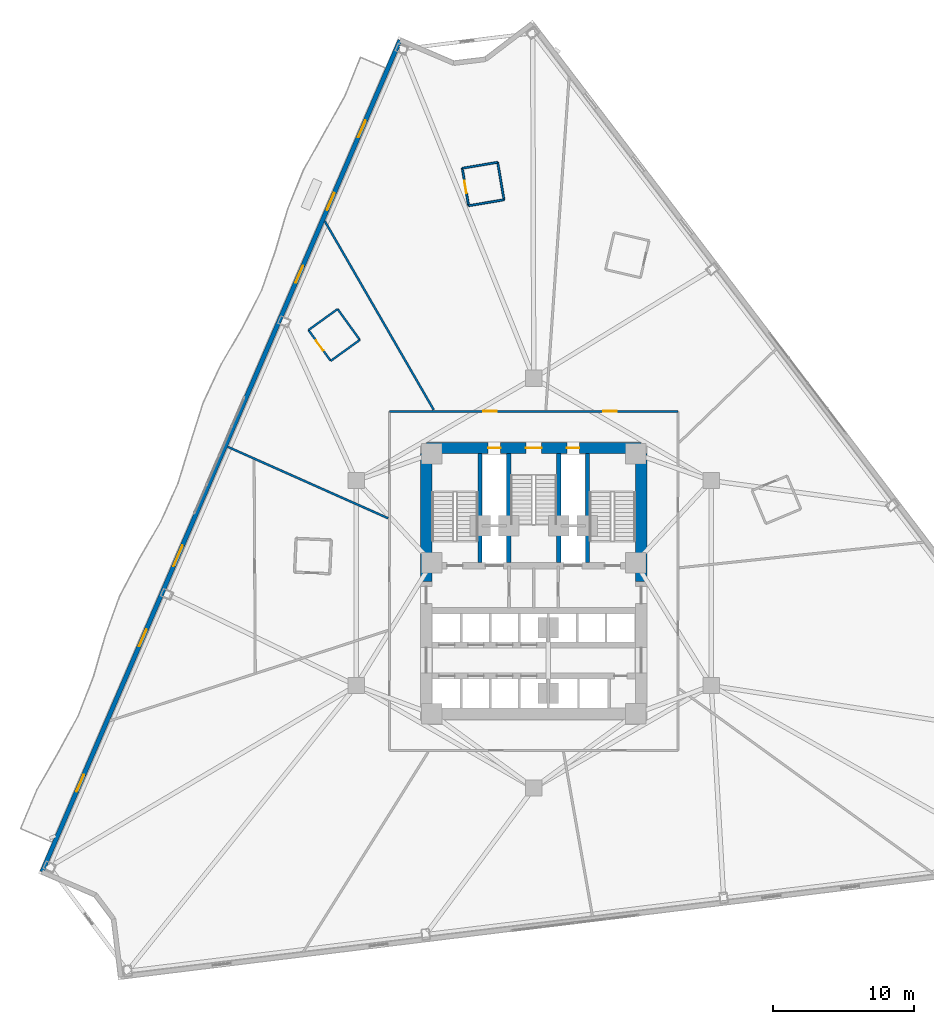
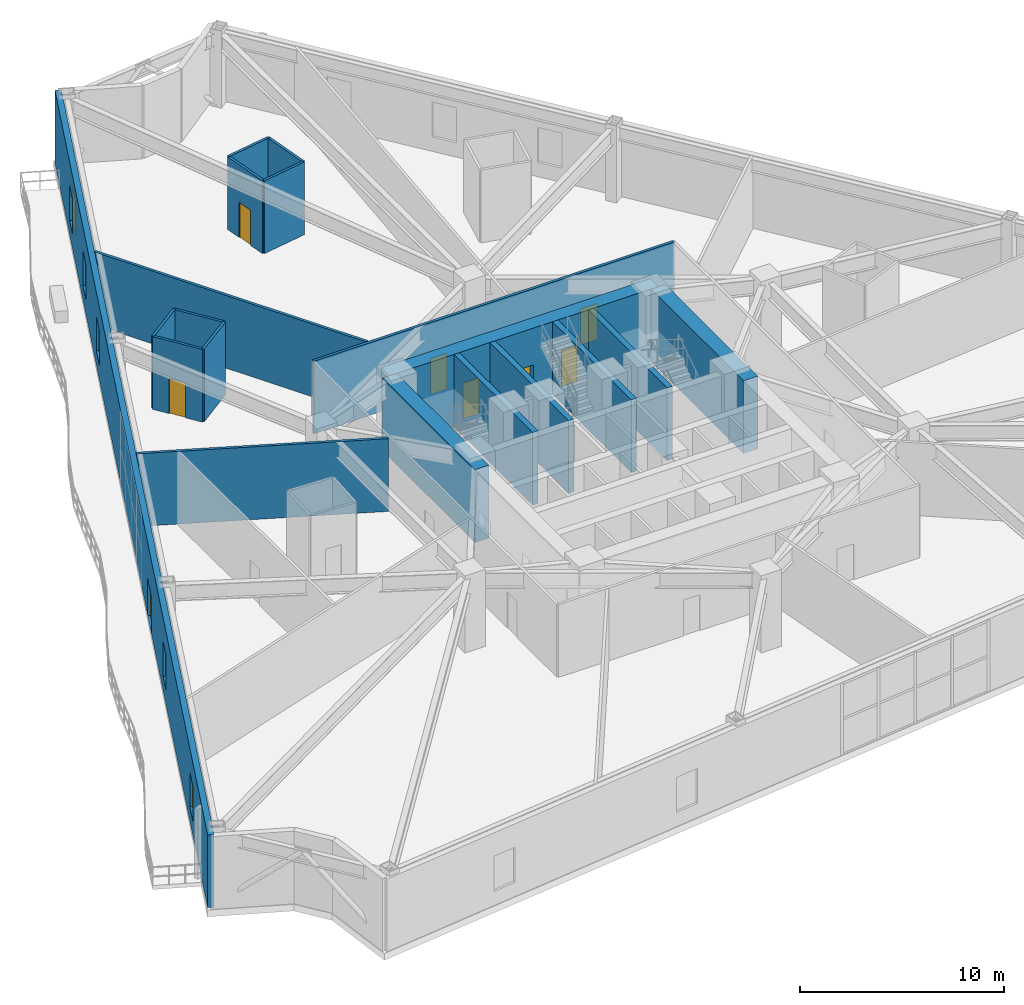
# One storey, part 14 of 21: 19 walls, 8 doors, 5 windows, 13 openings.
"""IFC4 building model written with IfcOpenShell, lengths in metres."""

from ifc_helpers import new_model, si_unit, direction, frame, frame_2d, origin, place, context, subcontext, project, spatial, rectangle, extrude, material, layer, layer_set, type_object, element, fill, save


model = new_model("IFC4")

# Units and contexts
model_context = context("Model", 3, precision=1e-05, world=origin(), true_north=direction((0.0, 1.0)))
body_context = subcontext(model_context, "Body", "Model", "MODEL_VIEW")
ifc_project = project(units=[si_unit("LENGTHUNIT", "METRE"), si_unit("AREAUNIT", "SQUARE_METRE"), si_unit("VOLUMEUNIT", "CUBIC_METRE"), si_unit("PLANEANGLEUNIT", "RADIAN"), si_unit("MASSUNIT", "GRAM", prefix="KILO")], contexts=[model_context])

# Site, building, storey
site_placement = place(None, origin())
site = spatial("IfcSite", under=ifc_project, at=site_placement, CompositionType="ELEMENT")
building_placement = place(site_placement, origin())
building = spatial("IfcBuilding", under=site, at=building_placement, Name="Apsidion Concourse Tower", CompositionType="ELEMENT")
storey_placement = place(building_placement, frame((0.0, 0.0, 62.39990234375)))
storey = spatial("IfcBuildingStorey", under=building, at=storey_placement, Name="L13", CompositionType="ELEMENT", Elevation=62.39990234375)

# Wall, openings, door, windows
ifc_material_1 = material(Name="Precast concrete C40/50", Category="concrete")
ifc_layer_1 = layer(ifc_material_1, 0.320068359375)
ifc_layer_set_1 = layer_set([ifc_layer_1], Name="Precast concrete C40/50")
wall_type_1 = type_object("IfcWallType", Name="WL-EXT-320", PredefinedType="STANDARD", material=ifc_layer_set_1)
wall_1_placement = place(storey_placement, frame((-34.787353515625, -20.429443359375, 0.0), z_axis=(0.0, 0.0, 1.0), x_axis=(0.395418293843, 0.91850115563, 0.0)))
wall_1 = element("IfcWall", 1, at=wall_1_placement, inside=storey, type_object=wall_type_1, Name="L13 Precast Stone Facade Wall 09", PredefinedType="STANDARD", context=body_context, shape_type="SweptSolid", body=[
    extrude(rectangle(XDim=64.058349609375, YDim=0.320068359375, at=frame_2d((32.029296875, 0.0))), origin(), (0.0, 0.0, 1.0), 4.35009765625),
])
opening_1_placement = place(wall_1_placement, frame((23.542236328125, 0.0, 0.0)))
opening_1 = element("IfcOpeningElement", 2, at=opening_1_placement, cuts=wall_1, Name="Opening D-T2D", PredefinedType="OPENING", context=body_context, shape_type="SweptSolid", body=[
    extrude(rectangle(XDim=1.60009765625, YDim=2.199951171875, at=frame_2d((0.800048828125, 1.10009765625))), frame((0.0, 0.169921875, 0.0), z_axis=(0.0, -1.0, 0.0), x_axis=(1.0, 0.0, 0.0)), (0.0, 0.0, 1.0), 0.340087890625),
])
opening_2_placement = place(wall_1_placement, frame((6.17919921875, 0.0, 0.85009765625)))
opening_2 = element("IfcOpeningElement", 3, at=opening_2_placement, cuts=wall_1, Name="Opening WN-03", PredefinedType="OPENING", context=body_context, shape_type="SweptSolid", body=[
    extrude(rectangle(XDim=1.300048828125, YDim=2.10009765625, at=frame_2d((0.64990234375, 1.050048828125))), frame((0.0, 0.169921875, 0.0), z_axis=(0.0, -1.0, 0.0), x_axis=(1.0, 0.0, 0.0)), (0.0, 0.0, 1.0), 0.340087890625),
])
opening_3_placement = place(wall_1_placement, frame((17.379150390625, 0.0, 0.85009765625)))
opening_3 = element("IfcOpeningElement", 4, at=opening_3_placement, cuts=wall_1, Name="Opening WN-03", PredefinedType="OPENING", context=body_context, shape_type="SweptSolid", body=[
    extrude(rectangle(XDim=1.300048828125, YDim=2.10009765625, at=frame_2d((0.64990234375, 1.050048828125))), frame((0.0, 0.169921875, 0.0), z_axis=(0.0, -1.0, 0.0), x_axis=(1.0, 0.0, 0.0)), (0.0, 0.0, 1.0), 0.340087890625),
])
opening_4_placement = place(wall_1_placement, frame((45.379150390625, 0.0, 0.85009765625)))
opening_4 = element("IfcOpeningElement", 5, at=opening_4_placement, cuts=wall_1, Name="Opening WN-03", PredefinedType="OPENING", context=body_context, shape_type="SweptSolid", body=[
    extrude(rectangle(XDim=1.300048828125, YDim=2.10009765625, at=frame_2d((0.64990234375, 1.050048828125))), frame((0.0, 0.169921875, 0.0), z_axis=(0.0, -1.0, 0.0), x_axis=(1.0, 0.0, 0.0)), (0.0, 0.0, 1.0), 0.340087890625),
])
opening_5_placement = place(wall_1_placement, frame((50.979248046875, 0.0, 0.85009765625)))
opening_5 = element("IfcOpeningElement", 6, at=opening_5_placement, cuts=wall_1, Name="Opening WN-03", PredefinedType="OPENING", context=body_context, shape_type="SweptSolid", body=[
    extrude(rectangle(XDim=1.300048828125, YDim=2.10009765625, at=frame_2d((0.64990234375, 1.050048828125))), frame((0.0, 0.169921875, 0.0), z_axis=(0.0, -1.0, 0.0), x_axis=(1.0, 0.0, 0.0)), (0.0, 0.0, 1.0), 0.340087890625),
])
opening_6_placement = place(wall_1_placement, frame((56.5791015625, 0.0, 0.85009765625)))
opening_6 = element("IfcOpeningElement", 7, at=opening_6_placement, cuts=wall_1, Name="Opening WN-03", PredefinedType="OPENING", context=body_context, shape_type="SweptSolid", body=[
    extrude(rectangle(XDim=1.300048828125, YDim=2.10009765625, at=frame_2d((0.64990234375, 1.050048828125))), frame((0.0, 0.169921875, 0.0), z_axis=(0.0, -1.0, 0.0), x_axis=(1.0, 0.0, 0.0)), (0.0, 0.0, 1.0), 0.340087890625),
])
ifc_material_2 = material(Name="Anodised aluminium EN AW-6063 T6", Category="aluminium")
door_type_1 = type_object("IfcDoorType", Name="DR-TER-1622D", OperationType="DOUBLE_DOOR_SINGLE_SWING", PredefinedType="DOOR", material=ifc_material_2)
door_1_placement = place(opening_1_placement, origin())
door_1 = element("IfcDoor", 8, at=door_1_placement, inside=storey, type_object=door_type_1, Name="L13 Spiral Sky-Terrace Access Door 1", OperationType="DOUBLE_DOOR_SINGLE_SWING", OverallHeight=2.199951171875, OverallWidth=1.60009765625, PredefinedType="DOOR", context=body_context, shape_type="SweptSolid", body=[
    extrude(rectangle(XDim=1.60009765625, YDim=2.199951171875, at=frame_2d((0.800048828125, 1.10009765625))), frame((0.0, 0.02490234375, 0.0), z_axis=(0.0, -1.0, 0.0), x_axis=(1.0, 0.0, 0.0)), (0.0, 0.0, 1.0), 0.050048828125),
])
fill(opening_1, door_1)
ifc_material_3 = material(Name="Insulated laminated low-E glass", Category="glass")
window_type = type_object("IfcWindowType", Name="WN-HTL-1322", PartitioningType="SINGLE_PANEL", PredefinedType="WINDOW", material=ifc_material_3)
window_1_placement = place(opening_2_placement, origin())
window_1 = element("IfcWindow", 9, at=window_1_placement, inside=storey, type_object=window_type, Name="L13 Punched Facade Window 9-01", OverallHeight=2.10009765625, OverallWidth=1.300048828125, PartitioningType="SINGLE_PANEL", PredefinedType="WINDOW", context=body_context, shape_type="SweptSolid", body=[
    extrude(rectangle(XDim=1.300048828125, YDim=2.10009765625, at=frame_2d((0.64990234375, 1.050048828125))), frame((0.0, 0.030029296875, 0.0), z_axis=(0.0, -1.0, 0.0), x_axis=(1.0, 0.0, 0.0)), (0.0, 0.0, 1.0), 0.06005859375),
])
fill(opening_2, window_1)
window_2_placement = place(opening_3_placement, origin())
window_2 = element("IfcWindow", 10, at=window_2_placement, inside=storey, type_object=window_type, Name="L13 Punched Facade Window 9-03", OverallHeight=2.10009765625, OverallWidth=1.300048828125, PartitioningType="SINGLE_PANEL", PredefinedType="WINDOW", context=body_context, shape_type="SweptSolid", body=[
    extrude(rectangle(XDim=1.300048828125, YDim=2.10009765625, at=frame_2d((0.64990234375, 1.050048828125))), frame((0.0, 0.030029296875, 0.0), z_axis=(0.0, -1.0, 0.0), x_axis=(1.0, 0.0, 0.0)), (0.0, 0.0, 1.0), 0.06005859375),
])
fill(opening_3, window_2)
window_3_placement = place(opening_4_placement, origin())
window_3 = element("IfcWindow", 11, at=window_3_placement, inside=storey, type_object=window_type, Name="L13 Punched Facade Window 9-08", OverallHeight=2.10009765625, OverallWidth=1.300048828125, PartitioningType="SINGLE_PANEL", PredefinedType="WINDOW", context=body_context, shape_type="SweptSolid", body=[
    extrude(rectangle(XDim=1.300048828125, YDim=2.10009765625, at=frame_2d((0.64990234375, 1.050048828125))), frame((0.0, 0.030029296875, 0.0), z_axis=(0.0, -1.0, 0.0), x_axis=(1.0, 0.0, 0.0)), (0.0, 0.0, 1.0), 0.06005859375),
])
fill(opening_4, window_3)
window_4_placement = place(opening_5_placement, origin())
window_4 = element("IfcWindow", 12, at=window_4_placement, inside=storey, type_object=window_type, Name="L13 Punched Facade Window 9-09", OverallHeight=2.10009765625, OverallWidth=1.300048828125, PartitioningType="SINGLE_PANEL", PredefinedType="WINDOW", context=body_context, shape_type="SweptSolid", body=[
    extrude(rectangle(XDim=1.300048828125, YDim=2.10009765625, at=frame_2d((0.64990234375, 1.050048828125))), frame((0.0, 0.030029296875, 0.0), z_axis=(0.0, -1.0, 0.0), x_axis=(1.0, 0.0, 0.0)), (0.0, 0.0, 1.0), 0.06005859375),
])
fill(opening_5, window_4)
window_5_placement = place(opening_6_placement, origin())
window_5 = element("IfcWindow", 13, at=window_5_placement, inside=storey, type_object=window_type, Name="L13 Punched Facade Window 9-10", OverallHeight=2.10009765625, OverallWidth=1.300048828125, PartitioningType="SINGLE_PANEL", PredefinedType="WINDOW", context=body_context, shape_type="SweptSolid", body=[
    extrude(rectangle(XDim=1.300048828125, YDim=2.10009765625, at=frame_2d((0.64990234375, 1.050048828125))), frame((0.0, 0.030029296875, 0.0), z_axis=(0.0, -1.0, 0.0), x_axis=(1.0, 0.0, 0.0)), (0.0, 0.0, 1.0), 0.06005859375),
])
fill(opening_6, window_5)

# Walls
ifc_material_4 = material(Name="Gypsum plasterboard partition")
ifc_layer_2 = layer(ifc_material_4, 0.139892578125)
ifc_layer_set_2 = layer_set([ifc_layer_2], Name="Gypsum plasterboard partition")
wall_type_2 = type_object("IfcWallType", Name="WL-INT-PAR-140", PredefinedType="PARTITIONING", material=ifc_layer_set_2)
wall_2_placement = place(storey_placement, frame((-2.103515625, 27.117919921875, 0.0), z_axis=(0.0, 0.0, 1.0), x_axis=(-0.166812152126, 0.985988694612, 0.0)))
element("IfcWall", 14, at=wall_2_placement, inside=storey, type_object=wall_type_2, Name="L13 Interior Partition WL-L13-POD-ENS07-S1", PredefinedType="PARTITIONING", context=body_context, shape_type="SweptSolid", body=[
    extrude(rectangle(XDim=2.68994140625, YDim=0.139892578125, at=frame_2d((1.344970703125, 0.0))), origin(), (0.0, 0.0, 1.0), 4.35009765625),
])
wall_3_placement = place(storey_placement, frame((-2.55224609375, 29.770263671875, 0.0), z_axis=(0.0, 0.0, 1.0), x_axis=(-0.98599620826, -0.166767734581, 0.0)))
element("IfcWall", 15, at=wall_3_placement, inside=storey, type_object=wall_type_2, Name="L13 Interior Partition WL-L13-POD-ENS07-S2", PredefinedType="PARTITIONING", context=body_context, shape_type="SweptSolid", body=[
    extrude(rectangle(XDim=2.5400390625, YDim=0.139892578125, at=frame_2d((1.27001953125, 0.0))), origin(), (0.0, 0.0, 1.0), 4.35009765625),
])

# Wall, opening, door
wall_4_placement = place(storey_placement, frame((-5.056640625, 29.3466796875, 0.0), z_axis=(0.0, 0.0, 1.0), x_axis=(0.166708999579, -0.98600614068, 0.0)))
wall_4 = element("IfcWall", 16, at=wall_4_placement, inside=storey, type_object=wall_type_2, Name="L13 Interior Partition WL-L13-POD-ENS07-S3", PredefinedType="PARTITIONING", context=body_context, shape_type="SweptSolid", body=[
    extrude(rectangle(XDim=2.690185546875, YDim=0.139892578125, at=frame_2d((1.34521484375, 0.0))), origin(), (0.0, 0.0, 1.0), 4.35009765625),
])
opening_7_placement = place(wall_4_placement, frame((0.905029296875, 0.0, 0.0)))
opening_7 = element("IfcOpeningElement", 17, at=opening_7_placement, cuts=wall_4, Name="Opening D-03R", PredefinedType="OPENING", context=body_context, shape_type="SweptSolid", body=[
    extrude(rectangle(XDim=0.8798828125, YDim=2.10009765625, at=frame_2d((0.43994140625, 1.050048828125))), frame((0.0, 0.080078125, 0.0), z_axis=(0.0, -1.0, 0.0), x_axis=(1.0, 0.0, 0.0)), (0.0, 0.0, 1.0), 0.159912109375),
])
door_type_2 = type_object("IfcDoorType", Name="DR-INT-D03R", OperationType="SINGLE_SWING_RIGHT", PredefinedType="DOOR", material=ifc_material_2)
door_2_placement = place(opening_7_placement, origin())
door_2 = element("IfcDoor", 18, at=door_2_placement, inside=storey, type_object=door_type_2, Name="L13 Guest En-Suite Bathroom Door ENS07", OperationType="SINGLE_SWING_RIGHT", OverallHeight=2.10009765625, OverallWidth=0.8798828125, PredefinedType="DOOR", context=body_context, shape_type="SweptSolid", body=[
    extrude(rectangle(XDim=0.8798828125, YDim=2.10009765625, at=frame_2d((0.43994140625, 1.050048828125))), frame((0.0, 0.02490234375, 0.0), z_axis=(0.0, -1.0, 0.0), x_axis=(1.0, 0.0, 0.0)), (0.0, 0.0, 1.0), 0.050048828125),
])
fill(opening_7, door_2)

# Walls
wall_5_placement = place(storey_placement, frame((-4.608154296875, 26.694091796875, 0.0), z_axis=(0.0, 0.0, 1.0), x_axis=(0.985983074697, 0.166845366768, 0.0)))
element("IfcWall", 19, at=wall_5_placement, inside=storey, type_object=wall_type_2, Name="L13 Interior Partition WL-L13-POD-ENS07-S4", PredefinedType="PARTITIONING", context=body_context, shape_type="SweptSolid", body=[
    extrude(rectangle(XDim=2.540283203125, YDim=0.139892578125, at=frame_2d((1.27001953125, 0.0))), origin(), (0.0, 0.0, 1.0), 4.35009765625),
])
wall_6_placement = place(storey_placement, frame((-12.302001953125, 17.205078125, 0.0), z_axis=(0.0, 0.0, 1.0), x_axis=(-0.584966842141, 0.811057207351, 0.0)))
element("IfcWall", 20, at=wall_6_placement, inside=storey, type_object=wall_type_2, Name="L13 Interior Partition WL-L13-POD-ENS08-S1", PredefinedType="PARTITIONING", context=body_context, shape_type="SweptSolid", body=[
    extrude(rectangle(XDim=2.68994140625, YDim=0.139892578125, at=frame_2d((1.344970703125, 0.0))), origin(), (0.0, 0.0, 1.0), 4.35009765625),
])
wall_7_placement = place(storey_placement, frame((-13.87548828125, 19.38671875, 0.0), z_axis=(0.0, 0.0, 1.0), x_axis=(-0.811049113512, -0.584978064095, 0.0)))
element("IfcWall", 21, at=wall_7_placement, inside=storey, type_object=wall_type_2, Name="L13 Interior Partition WL-L13-POD-ENS08-S2", PredefinedType="PARTITIONING", context=body_context, shape_type="SweptSolid", body=[
    extrude(rectangle(XDim=2.5400390625, YDim=0.139892578125, at=frame_2d((1.27001953125, 0.0))), origin(), (0.0, 0.0, 1.0), 4.35009765625),
])

# Wall, opening, door
wall_8_placement = place(storey_placement, frame((-15.935546875, 17.90087890625, 0.0), z_axis=(0.0, 0.0, 1.0), x_axis=(0.584966842141, -0.811057207351, 0.0)))
wall_8 = element("IfcWall", 22, at=wall_8_placement, inside=storey, type_object=wall_type_2, Name="L13 Interior Partition WL-L13-POD-ENS08-S3", PredefinedType="PARTITIONING", context=body_context, shape_type="SweptSolid", body=[
    extrude(rectangle(XDim=2.68994140625, YDim=0.139892578125, at=frame_2d((1.344970703125, 0.0))), origin(), (0.0, 0.0, 1.0), 4.35009765625),
])
opening_8_placement = place(wall_8_placement, frame((0.905029296875, 0.0, 0.0)))
opening_8 = element("IfcOpeningElement", 23, at=opening_8_placement, cuts=wall_8, Name="Opening D-03L", PredefinedType="OPENING", context=body_context, shape_type="SweptSolid", body=[
    extrude(rectangle(XDim=0.8798828125, YDim=2.10009765625, at=frame_2d((0.43994140625, 1.050048828125))), frame((0.0, 0.080078125, 0.0), z_axis=(0.0, -1.0, 0.0), x_axis=(1.0, 0.0, 0.0)), (0.0, 0.0, 1.0), 0.159912109375),
])
door_type_3 = type_object("IfcDoorType", Name="DR-INT-D03L", OperationType="SINGLE_SWING_LEFT", PredefinedType="DOOR", material=ifc_material_2)
door_3_placement = place(opening_8_placement, origin())
door_3 = element("IfcDoor", 24, at=door_3_placement, inside=storey, type_object=door_type_3, Name="L13 Guest En-Suite Bathroom Door ENS08", OperationType="SINGLE_SWING_LEFT", OverallHeight=2.10009765625, OverallWidth=0.8798828125, PredefinedType="DOOR", context=body_context, shape_type="SweptSolid", body=[
    extrude(rectangle(XDim=0.8798828125, YDim=2.10009765625, at=frame_2d((0.43994140625, 1.050048828125))), frame((0.0, 0.02490234375, 0.0), z_axis=(0.0, -1.0, 0.0), x_axis=(1.0, 0.0, 0.0)), (0.0, 0.0, 1.0), 0.050048828125),
])
fill(opening_8, door_3)

# Wall
wall_9_placement = place(storey_placement, frame((-14.362060546875, 15.71923828125, 0.0), z_axis=(0.0, 0.0, 1.0), x_axis=(0.811049113512, 0.584978064095, 0.0)))
element("IfcWall", 25, at=wall_9_placement, inside=storey, type_object=wall_type_2, Name="L13 Interior Partition WL-L13-POD-ENS08-S4", PredefinedType="PARTITIONING", context=body_context, shape_type="SweptSolid", body=[
    extrude(rectangle(XDim=2.5400390625, YDim=0.139892578125, at=frame_2d((1.27001953125, 0.0))), origin(), (0.0, 0.0, 1.0), 4.35009765625),
])

# Wall, openings, doors
ifc_layer_3 = layer(ifc_material_4, 0.14990234375)
ifc_layer_set_3 = layer_set([ifc_layer_3], Name="Gypsum plasterboard partition")
wall_type_3 = type_object("IfcWallType", Name="WL-INT-PAR-150", PredefinedType="PARTITIONING", material=ifc_layer_set_3)
wall_10_placement = place(storey_placement, frame((-10.199951171875, 12.14990234375, 0.0), z_axis=(0.0, 0.0, 1.0), x_axis=(1.0, 0.0, 0.0)))
wall_10 = element("IfcWall", 26, at=wall_10_placement, inside=storey, type_object=wall_type_3, Name="L13 Interior Partition WL-L13-CORR-01", PredefinedType="PARTITIONING", context=body_context, shape_type="SweptSolid", body=[
    extrude(rectangle(XDim=20.39990234375, YDim=0.14990234375, at=frame_2d((10.199951171875, 0.0))), origin(), (0.0, 0.0, 1.0), 4.35009765625),
])
opening_9_placement = place(wall_10_placement, frame((15.125, 0.0, 0.0)))
opening_9 = element("IfcOpeningElement", 27, at=opening_9_placement, cuts=wall_10, Name="Opening D-01L", PredefinedType="OPENING", context=body_context, shape_type="SweptSolid", body=[
    extrude(rectangle(XDim=0.949951171875, YDim=2.14990234375, at=frame_2d((0.47509765625, 1.074951171875))), frame((0.0, 0.0849609375, 0.0), z_axis=(0.0, -1.0, 0.0), x_axis=(1.0, 0.0, 0.0)), (0.0, 0.0, 1.0), 0.169921875),
])
opening_10_placement = place(wall_10_placement, frame((6.6201171875, 0.0, 0.0)))
opening_10 = element("IfcOpeningElement", 28, at=opening_10_placement, cuts=wall_10, Name="Opening D-01R", PredefinedType="OPENING", context=body_context, shape_type="SweptSolid", body=[
    extrude(rectangle(XDim=0.949951171875, YDim=2.14990234375, at=frame_2d((0.47509765625, 1.074951171875))), frame((0.0, 0.0849609375, 0.0), z_axis=(0.0, -1.0, 0.0), x_axis=(1.0, 0.0, 0.0)), (0.0, 0.0, 1.0), 0.169921875),
])
ifc_material_5 = material(Name="Brushed stainless steel 316", Category="steel")
door_type_4 = type_object("IfcDoorType", Name="DR-INT-D01L", OperationType="SINGLE_SWING_LEFT", PredefinedType="DOOR", material=ifc_material_5)
door_4_placement = place(opening_9_placement, origin())
door_4 = element("IfcDoor", 29, at=door_4_placement, inside=storey, type_object=door_type_4, Name="L13 Corridor Entry Door 07", OperationType="SINGLE_SWING_LEFT", OverallHeight=2.14990234375, OverallWidth=0.949951171875, PredefinedType="DOOR", context=body_context, shape_type="SweptSolid", body=[
    extrude(rectangle(XDim=0.949951171875, YDim=2.14990234375, at=frame_2d((0.47509765625, 1.074951171875))), frame((0.0, 0.02490234375, 0.0), z_axis=(0.0, -1.0, 0.0), x_axis=(1.0, 0.0, 0.0)), (0.0, 0.0, 1.0), 0.050048828125),
])
fill(opening_9, door_4)
door_type_5 = type_object("IfcDoorType", Name="DR-INT-D01R", OperationType="SINGLE_SWING_RIGHT", PredefinedType="DOOR", material=ifc_material_5)
door_5_placement = place(opening_10_placement, origin())
door_5 = element("IfcDoor", 30, at=door_5_placement, inside=storey, type_object=door_type_5, Name="L13 Corridor Entry Door 08", OperationType="SINGLE_SWING_RIGHT", OverallHeight=2.14990234375, OverallWidth=0.949951171875, PredefinedType="DOOR", context=body_context, shape_type="SweptSolid", body=[
    extrude(rectangle(XDim=0.949951171875, YDim=2.14990234375, at=frame_2d((0.47509765625, 1.074951171875))), frame((0.0, 0.02490234375, 0.0), z_axis=(0.0, -1.0, 0.0), x_axis=(1.0, 0.0, 0.0)), (0.0, 0.0, 1.0), 0.050048828125),
])
fill(opening_10, door_5)

# Walls
wall_11_placement = place(storey_placement, frame((-7.075439453125, 12.2548828125, 0.0), z_axis=(0.0, 0.0, 1.0), x_axis=(-0.499989871069, 0.866031251647, 0.0)))
element("IfcWall", 31, at=wall_11_placement, inside=storey, type_object=wall_type_3, Name="L13 Interior Partition WL-L13-RAD-04-1", PredefinedType="PARTITIONING", context=body_context, shape_type="SweptSolid", body=[
    extrude(rectangle(XDim=15.410400390625, YDim=0.14990234375, at=frame_2d((7.705078125, 0.0))), origin(), (0.0, 0.0, 1.0), 4.35009765625),
])
wall_12_placement = place(storey_placement, frame((-10.304931640625, 4.588134765625, 0.0), z_axis=(0.0, 0.0, 1.0), x_axis=(-0.913551984099, 0.406721984099, 0.0)))
element("IfcWall", 32, at=wall_12_placement, inside=storey, type_object=wall_type_3, Name="L13 Interior Partition WL-L13-RAD-05-1", PredefinedType="PARTITIONING", context=body_context, shape_type="SweptSolid", body=[
    extrude(rectangle(XDim=12.420654296875, YDim=0.14990234375, at=frame_2d((6.21044921875, 0.0))), origin(), (0.0, 0.0, 1.0), 4.35009765625),
])
ifc_material_6 = material(Name="Concrete C50/60", Category="concrete")
ifc_layer_4 = layer(ifc_material_6, 0.300048828125)
ifc_layer_set_4 = layer_set([ifc_layer_4], Name="Concrete C50/60")
wall_type_4 = type_object("IfcWallType", Name="WL-SH-300", PredefinedType="SHEAR", material=ifc_layer_set_4)
for number, where, z_axis, x_axis, name in (
    (33, (-3.800048828125, 1.449951171875, 0.0), (0.0, 0.0, 1.0), (0.0, 1.0, 0.0), "L13 Central Core Shear Wall V1"),
    (34, (-1.77490234375, 1.449951171875, 0.0), (0.0, 0.0, 1.0), (0.0, 1.0, 0.0), "L13 Central Core Shear Wall V2"),
    (35, (1.77490234375, 1.449951171875, 0.0), (0.0, 0.0, 1.0), (0.0, 1.0, 0.0), "L13 Central Core Shear Wall V3"),
    (36, (3.800048828125, 1.449951171875, 0.0), (0.0, 0.0, 1.0), (0.0, 1.0, 0.0), "L13 Central Core Shear Wall V4"),
):
    element("IfcWall", number, at=place(storey_placement, frame(where, z_axis=z_axis, x_axis=x_axis)), inside=storey, type_object=wall_type_4, Name=name, PredefinedType="SHEAR", context=body_context, shape_type="SweptSolid", body=[
        extrude(rectangle(XDim=7.699951171875, YDim=0.300048828125, at=frame_2d((3.85009765625, 0.0))), origin(), (0.0, 0.0, 1.0), 4.35009765625),
    ])

# Wall, openings, doors
ifc_material_7 = material(Name="Concrete C60/75", Category="concrete")
ifc_layer_5 = layer(ifc_material_7, 0.800048828125)
ifc_layer_set_5 = layer_set([ifc_layer_5], Name="Concrete C60/75")
wall_type_5 = type_object("IfcWallType", Name="WL-SH-800", PredefinedType="SHEAR", material=ifc_layer_set_5)
wall_13_placement = place(storey_placement, frame((-7.60009765625, 9.550048828125, 0.0), z_axis=(0.0, 0.0, 1.0), x_axis=(1.0, 0.0, 0.0)))
wall_13 = element("IfcWall", 37, at=wall_13_placement, inside=storey, type_object=wall_type_5, Name="L13 Central Core Shear Wall N", PredefinedType="SHEAR", context=body_context, shape_type="SweptSolid", body=[
    extrude(rectangle(XDim=15.2001953125, YDim=0.800048828125, at=frame_2d((7.60009765625, 0.0))), origin(), (0.0, 0.0, 1.0), 4.35009765625),
])
opening_11_placement = place(wall_13_placement, frame((7.050048828125, 0.0, 0.0)))
opening_11 = element("IfcOpeningElement", 38, at=opening_11_placement, cuts=wall_13, Name="Opening D-STL", PredefinedType="OPENING", context=body_context, shape_type="SweptSolid", body=[
    extrude(rectangle(XDim=1.10009765625, YDim=2.14990234375, at=frame_2d((0.550048828125, 1.074951171875))), frame((0.0, 0.41015625, 0.0), z_axis=(0.0, -1.0, 0.0), x_axis=(1.0, 0.0, 0.0)), (0.0, 0.0, 1.0), 0.820068359375),
])
opening_12_placement = place(wall_13_placement, frame((4.3798828125, 0.0, 0.0)))
opening_12 = element("IfcOpeningElement", 39, at=opening_12_placement, cuts=wall_13, Name="Opening D-05L", PredefinedType="OPENING", context=body_context, shape_type="SweptSolid", body=[
    extrude(rectangle(XDim=0.8798828125, YDim=2.14990234375, at=frame_2d((0.43994140625, 1.074951171875))), frame((0.0, 0.41015625, 0.0), z_axis=(0.0, -1.0, 0.0), x_axis=(1.0, 0.0, 0.0)), (0.0, 0.0, 1.0), 0.820068359375),
])
opening_13_placement = place(wall_13_placement, frame((9.93994140625, 0.0, 0.0)))
opening_13 = element("IfcOpeningElement", 40, at=opening_13_placement, cuts=wall_13, Name="Opening D-05R", PredefinedType="OPENING", context=body_context, shape_type="SweptSolid", body=[
    extrude(rectangle(XDim=0.8798828125, YDim=2.14990234375, at=frame_2d((0.43994140625, 1.074951171875))), frame((0.0, 0.41015625, 0.0), z_axis=(0.0, -1.0, 0.0), x_axis=(1.0, 0.0, 0.0)), (0.0, 0.0, 1.0), 0.820068359375),
])
door_type_6 = type_object("IfcDoorType", Name="DR-INT-D05L", OperationType="SINGLE_SWING_LEFT", PredefinedType="DOOR", material=ifc_material_5)
door_6_placement = place(opening_12_placement, origin())
door_6 = element("IfcDoor", 41, at=door_6_placement, inside=storey, type_object=door_type_6, Name="L13 Electrical Riser Shaft Access Door", OperationType="SINGLE_SWING_LEFT", OverallHeight=2.14990234375, OverallWidth=0.8798828125, PredefinedType="DOOR", context=body_context, shape_type="SweptSolid", body=[
    extrude(rectangle(XDim=0.8798828125, YDim=2.14990234375, at=frame_2d((0.43994140625, 1.074951171875))), frame((0.0, 0.02490234375, 0.0), z_axis=(0.0, -1.0, 0.0), x_axis=(1.0, 0.0, 0.0)), (0.0, 0.0, 1.0), 0.050048828125),
])
fill(opening_12, door_6)
door_type_7 = type_object("IfcDoorType", Name="DR-INT-D05R", OperationType="SINGLE_SWING_RIGHT", PredefinedType="DOOR", material=ifc_material_5)
door_7_placement = place(opening_13_placement, origin())
door_7 = element("IfcDoor", 42, at=door_7_placement, inside=storey, type_object=door_type_7, Name="L13 Mechanical Riser Shaft Access Door", OperationType="SINGLE_SWING_RIGHT", OverallHeight=2.14990234375, OverallWidth=0.8798828125, PredefinedType="DOOR", context=body_context, shape_type="SweptSolid", body=[
    extrude(rectangle(XDim=0.8798828125, YDim=2.14990234375, at=frame_2d((0.43994140625, 1.074951171875))), frame((0.0, 0.02490234375, 0.0), z_axis=(0.0, -1.0, 0.0), x_axis=(1.0, 0.0, 0.0)), (0.0, 0.0, 1.0), 0.050048828125),
])
fill(opening_13, door_7)
door_type_8 = type_object("IfcDoorType", Name="DR-INT-ST1L", OperationType="SINGLE_SWING_LEFT", PredefinedType="DOOR", material=ifc_material_5)
door_8_placement = place(opening_11_placement, origin())
door_8 = element("IfcDoor", 43, at=door_8_placement, inside=storey, type_object=door_type_8, Name="L13 Core Exit Stair ST3 Door", OperationType="SINGLE_SWING_LEFT", OverallHeight=2.14990234375, OverallWidth=1.10009765625, PredefinedType="DOOR", context=body_context, shape_type="SweptSolid", body=[
    extrude(rectangle(XDim=1.10009765625, YDim=2.14990234375, at=frame_2d((0.550048828125, 1.074951171875))), frame((0.0, 0.02490234375, 0.0), z_axis=(0.0, -1.0, 0.0), x_axis=(1.0, 0.0, 0.0)), (0.0, 0.0, 1.0), 0.050048828125),
])
fill(opening_11, door_8)

# Walls
for number, where, z_axis, x_axis, name in (
    (44, (-7.60009765625, 0.10009765625, 0.0), (0.0, 0.0, 1.0), (0.0, 1.0, 0.0), "L13 Central Core Shear Wall WN"),
    (45, (7.60009765625, 0.10009765625, 0.0), (0.0, 0.0, 1.0), (0.0, 1.0, 0.0), "L13 Central Core Shear Wall EN"),
):
    element("IfcWall", number, at=place(storey_placement, frame(where, z_axis=z_axis, x_axis=x_axis)), inside=storey, type_object=wall_type_5, Name=name, PredefinedType="SHEAR", context=body_context, shape_type="SweptSolid", body=[
        extrude(rectangle(XDim=9.0498046875, YDim=0.800048828125, at=frame_2d((4.52490234375, 0.0))), origin(), (0.0, 0.0, 1.0), 4.35009765625),
    ])

save(model, "model.ifc")
